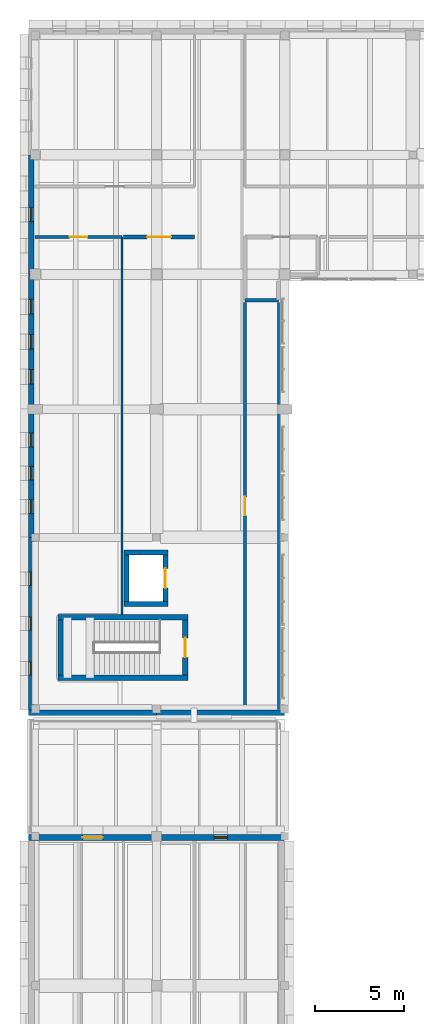
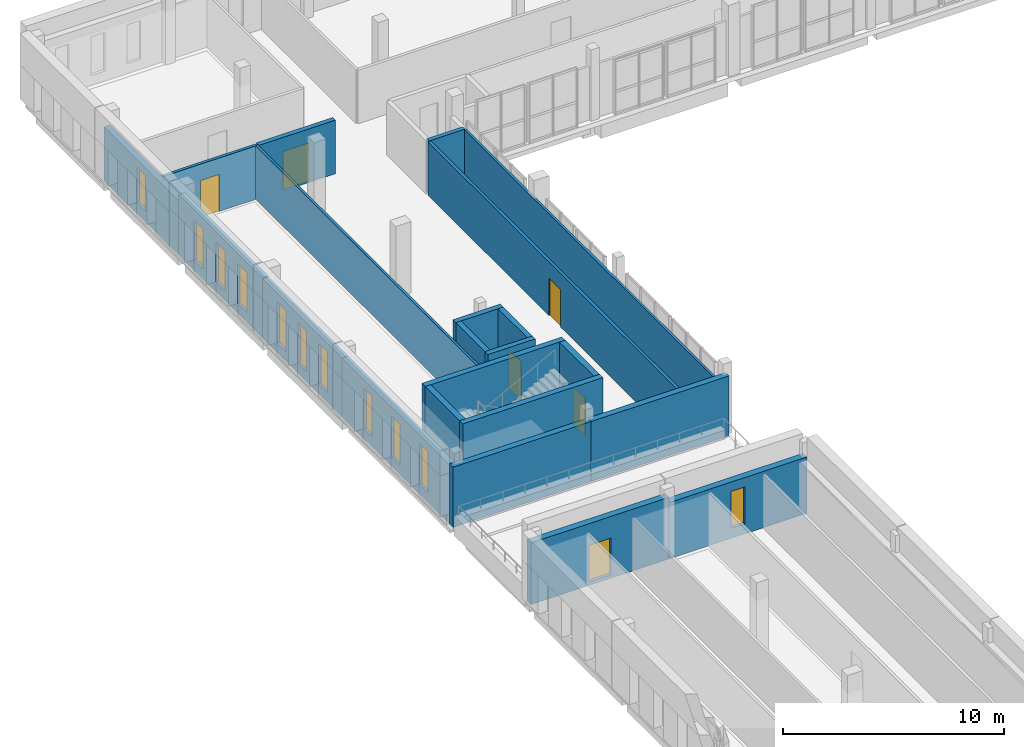
# One storey, part 40 of 56: 22 walls, 11 windows, 6 doors, 17 openings.
"""IFC4 building model written with IfcOpenShell, lengths in metres."""

from ifc_helpers import new_model, si_unit, direction, frame, frame_2d, origin, place, context, subcontext, project, spatial, rectangle, extrude, material, layer, layer_set, type_object, element, fill, save


model = new_model("IFC4")

# Units and contexts
model_context = context("Model", 3, precision=1e-05, world=origin(), true_north=direction((0.0, 1.0)))
body_context = subcontext(model_context, "Body", "Model", "MODEL_VIEW")
ifc_project = project(units=[si_unit("LENGTHUNIT", "METRE"), si_unit("AREAUNIT", "SQUARE_METRE"), si_unit("VOLUMEUNIT", "CUBIC_METRE"), si_unit("PLANEANGLEUNIT", "RADIAN"), si_unit("MASSUNIT", "GRAM", prefix="KILO")], contexts=[model_context])

# Site, building, storey
site_placement = place(None, origin())
site = spatial("IfcSite", under=ifc_project, at=site_placement, CompositionType="ELEMENT")
building_placement = place(site_placement, origin())
building = spatial("IfcBuilding", under=site, at=building_placement, Name="Vardoun Plaza Health Centre", CompositionType="ELEMENT")
storey_placement = place(building_placement, frame((0.0, 0.0, 8.699951171875)))
storey = spatial("IfcBuildingStorey", under=building, at=storey_placement, Name="L02", CompositionType="ELEMENT", Elevation=8.699951171875)

# Walls
ifc_material_1 = material(Name="Concrete C40/50", Category="concrete")
ifc_layer_1 = layer(ifc_material_1, 0.27001953125)
ifc_layer_set_1 = layer_set([ifc_layer_1], Name="Concrete C40/50")
wall_type_1 = type_object("IfcWallType", Name="SW-03", PredefinedType="SHEAR", material=ifc_layer_set_1)
wall_1_placement = place(storey_placement, frame((12.3349609375, 82.949951171875, 0.0), z_axis=(0.0, 0.0, 1.0), x_axis=(-1.0, 0.0, 0.0)))
element("IfcWall", 1, at=wall_1_placement, inside=storey, type_object=wall_type_1, Name="Lift LP-01 L02 Shaft Wall S", PredefinedType="SHEAR", context=body_context, shape_type="SweptSolid", body=[
    extrude(rectangle(XDim=2.469970703125, YDim=0.27001953125, at=frame_2d((1.23486328125, 0.0))), origin(), (0.0, 0.0, 1.0), 3.93505859375),
])
wall_2_placement = place(storey_placement, frame((10.0, 83.0849609375, 0.0), z_axis=(0.0, 0.0, 1.0), x_axis=(0.0, 1.0, 0.0)))
element("IfcWall", 2, at=wall_2_placement, inside=storey, type_object=wall_type_1, Name="Lift LP-01 L02 Shaft Wall W", PredefinedType="SHEAR", context=body_context, shape_type="SweptSolid", body=[
    extrude(rectangle(XDim=2.630126953125, YDim=0.27001953125, at=frame_2d((1.31494140625, 0.0))), origin(), (0.0, 0.0, 1.0), 3.93505859375),
])
wall_3_placement = place(storey_placement, frame((9.864990234375, 85.85009765625, 0.0), z_axis=(0.0, 0.0, 1.0), x_axis=(1.0, 0.0, 0.0)))
element("IfcWall", 3, at=wall_3_placement, inside=storey, type_object=wall_type_1, Name="Lift LP-01 L02 Shaft Wall N", PredefinedType="SHEAR", context=body_context, shape_type="SweptSolid", body=[
    extrude(rectangle(XDim=2.469970703125, YDim=0.27001953125, at=frame_2d((1.23486328125, 0.0))), origin(), (0.0, 0.0, 1.0), 3.93505859375),
])

# Wall, opening, door
wall_4_placement = place(storey_placement, frame((12.199951171875, 85.715087890625, 0.0), z_axis=(0.0, 0.0, 1.0), x_axis=(0.0, -1.0, 0.0)))
wall_4 = element("IfcWall", 4, at=wall_4_placement, inside=storey, type_object=wall_type_1, Name="Lift LP-01 L02 Shaft Wall E", PredefinedType="SHEAR", context=body_context, shape_type="SweptSolid", body=[
    extrude(rectangle(XDim=2.630126953125, YDim=0.27001953125, at=frame_2d((1.31494140625, 0.0))), origin(), (0.0, 0.0, 1.0), 3.93505859375),
])
opening_1_placement = place(wall_4_placement, frame((0.7548828125, 0.0, 0.0)))
opening_1 = element("IfcOpeningElement", 5, at=opening_1_placement, cuts=wall_4, Name="Opening LD-LP-01-L02", PredefinedType="OPENING", context=body_context, shape_type="SweptSolid", body=[
    extrude(rectangle(XDim=1.1201171875, YDim=2.10009765625, at=frame_2d((0.56005859375, 1.050048828125))), frame((0.0, 0.135009765625, 0.0), z_axis=(0.0, -1.0, 0.0), x_axis=(1.0, 0.0, 0.0)), (0.0, 0.0, 1.0), 0.27001953125),
])
ifc_material_2 = material(Name="Brushed Stainless Steel Grade 316L", Category="steel")
door_type_1 = type_object("IfcDoorType", Name="LD-01", OperationType="DOUBLE_DOOR_SLIDING", PredefinedType="DOOR", material=ifc_material_2)
door_1_placement = place(opening_1_placement, origin())
door_1 = element("IfcDoor", 6, at=door_1_placement, inside=storey, type_object=door_type_1, Name="Lift LP-01 L02 Sliding Landing Door", OperationType="DOUBLE_DOOR_SLIDING", OverallHeight=2.10009765625, OverallWidth=1.1201171875, PredefinedType="DOOR", context=body_context, shape_type="SweptSolid", body=[
    extrude(rectangle(XDim=1.1201171875, YDim=2.10009765625, at=frame_2d((0.56005859375, 1.050048828125))), frame((0.0, 0.02490234375, 0.0), z_axis=(0.0, -1.0, 0.0), x_axis=(1.0, 0.0, 0.0)), (0.0, 0.0, 1.0), 0.050048828125),
])
fill(opening_1, door_1)

# Walls
ifc_material_3 = material(Name="Concrete C40/50", Category="concrete")
ifc_layer_2 = layer(ifc_material_3, 0.300048828125)
ifc_layer_set_2 = layer_set([ifc_layer_2], Name="Concrete C40/50")
wall_type_2 = type_object("IfcWallType", Name="SW-01", PredefinedType="SHEAR", material=ifc_layer_set_2)
wall_5_placement = place(storey_placement, frame((13.449951171875, 78.800048828125, 0.0), z_axis=(0.0, 0.0, 1.0), x_axis=(-1.0, 0.0, 0.0)))
element("IfcWall", 7, at=wall_5_placement, inside=storey, type_object=wall_type_2, Name="Core C3 L02 Shear Wall S", PredefinedType="SHEAR", context=body_context, shape_type="SweptSolid", body=[
    extrude(rectangle(XDim=7.300048828125, YDim=0.300048828125, at=frame_2d((3.64990234375, 0.0))), origin(), (0.0, 0.0, 1.0), 3.93505859375),
])
wall_6_placement = place(storey_placement, frame((6.300048828125, 78.949951171875, 0.0), z_axis=(0.0, 0.0, 1.0), x_axis=(0.0, 1.0, 0.0)))
element("IfcWall", 8, at=wall_6_placement, inside=storey, type_object=wall_type_2, Name="Core C3 L02 Shear Wall W", PredefinedType="SHEAR", context=body_context, shape_type="SweptSolid", body=[
    extrude(rectangle(XDim=3.10009765625, YDim=0.300048828125, at=frame_2d((1.550048828125, 0.0))), origin(), (0.0, 0.0, 1.0), 3.93505859375),
])
wall_7_placement = place(storey_placement, frame((6.14990234375, 82.199951171875, 0.0), z_axis=(0.0, 0.0, 1.0), x_axis=(1.0, 0.0, 0.0)))
element("IfcWall", 9, at=wall_7_placement, inside=storey, type_object=wall_type_2, Name="Core C3 L02 Shear Wall N", PredefinedType="SHEAR", context=body_context, shape_type="SweptSolid", body=[
    extrude(rectangle(XDim=7.300048828125, YDim=0.300048828125, at=frame_2d((3.64990234375, 0.0))), origin(), (0.0, 0.0, 1.0), 3.93505859375),
])

# Wall, opening, door
wall_8_placement = place(storey_placement, frame((13.300048828125, 82.050048828125, 0.0), z_axis=(0.0, 0.0, 1.0), x_axis=(0.0, -1.0, 0.0)))
wall_8 = element("IfcWall", 10, at=wall_8_placement, inside=storey, type_object=wall_type_2, Name="Core C3 L02 Shear Wall E", PredefinedType="SHEAR", context=body_context, shape_type="SweptSolid", body=[
    extrude(rectangle(XDim=3.10009765625, YDim=0.300048828125, at=frame_2d((1.550048828125, 0.0))), origin(), (0.0, 0.0, 1.0), 3.93505859375),
])
opening_2_placement = place(wall_8_placement, frame((1.0, 0.0, 0.0)))
opening_2 = element("IfcOpeningElement", 11, at=opening_2_placement, cuts=wall_8, Name="Opening SD-C3-L02", PredefinedType="OPENING", context=body_context, shape_type="SweptSolid", body=[
    extrude(rectangle(XDim=1.10009765625, YDim=2.050048828125, at=frame_2d((0.550048828125, 1.02490234375))), frame((0.0, 0.14990234375, 0.0), z_axis=(0.0, -1.0, 0.0), x_axis=(1.0, 0.0, 0.0)), (0.0, 0.0, 1.0), 0.300048828125),
])
ifc_material_4 = material(Name="Brushed Stainless Steel Grade 316L", Category="steel")
door_type_2 = type_object("IfcDoorType", Name="FD-01", OperationType="NOTDEFINED", PredefinedType="DOOR", material=ifc_material_4)
door_2_placement = place(opening_2_placement, origin())
door_2 = element("IfcDoor", 12, at=door_2_placement, inside=storey, type_object=door_type_2, Name="Stair C3 L02 Fire Door", OperationType="SINGLE_SWING_LEFT", OverallHeight=2.050048828125, OverallWidth=1.10009765625, PredefinedType="DOOR", context=body_context, shape_type="SweptSolid", body=[
    extrude(rectangle(XDim=1.10009765625, YDim=2.050048828125, at=frame_2d((0.550048828125, 1.02490234375))), frame((0.0, 0.02490234375, 0.0), z_axis=(0.0, -1.0, 0.0), x_axis=(1.0, 0.0, 0.0)), (0.0, 0.0, 1.0), 0.050048828125),
])
fill(opening_2, door_2)

# Walls
ifc_material_5 = material(Name="Pale Limestone Concrete C35/45", Category="masonry")
ifc_layer_3 = layer(ifc_material_5, 0.31494140625)
ifc_layer_set_3 = layer_set([ifc_layer_3], Name="Pale Limestone Concrete C35/45")
wall_type_3 = type_object("IfcWallType", Name="EW-03", PredefinedType="SOLIDWALL", material=ifc_layer_set_3)
for number, where, z_axis, x_axis, name in (
    (13, (18.89990234375, 76.83740234375, 0.0), (0.0, 0.0, 1.0), (-1.0, 0.0, 0.0), "V3 L02 Exterior Wall EW-V3-282"),
    (14, (11.699951171875, 76.83740234375, 0.0), (0.0, 0.0, 1.0), (-1.0, 0.0, 0.0), "V3 L02 Exterior Wall EW-V3-283"),
):
    element("IfcWall", number, at=place(storey_placement, frame(where, z_axis=z_axis, x_axis=x_axis)), inside=storey, type_object=wall_type_3, Name=name, PredefinedType="SOLIDWALL", context=body_context, shape_type="SweptSolid", body=[
        extrude(rectangle(XDim=7.199951171875, YDim=0.31494140625, at=frame_2d((3.60009765625, 0.0))), origin(), (0.0, 0.0, 1.0), 3.320068359375),
    ])

# Wall, openings, windows
wall_9_placement = place(storey_placement, frame((4.657470703125, 76.9951171875, 0.0), z_axis=(0.0, 0.0, 1.0), x_axis=(0.0, 1.0, 0.0)))
wall_9 = element("IfcWall", 15, at=wall_9_placement, inside=storey, type_object=wall_type_3, Name="V3 L02 Exterior Wall EW-V3-284", PredefinedType="SOLIDWALL", context=body_context, shape_type="SweptSolid", body=[
    extrude(rectangle(XDim=9.704833984375, YDim=0.31494140625, at=frame_2d((4.8525390625, 0.0))), origin(), (0.0, 0.0, 1.0), 3.27001953125),
])
opening_3_placement = place(wall_9_placement, frame((1.959228515625, 0.0, 0.550048828125)))
opening_3 = element("IfcOpeningElement", 16, at=opening_3_placement, cuts=wall_9, Name="Opening W-05-008", PredefinedType="OPENING", context=body_context, shape_type="SweptSolid", body=[
    extrude(rectangle(XDim=0.739990234375, YDim=2.25, at=frame_2d((0.3701171875, 1.125))), frame((0.0, 0.157470703125, 0.0), z_axis=(0.0, -1.0, 0.0), x_axis=(1.0, 0.0, 0.0)), (0.0, 0.0, 1.0), 0.31494140625),
])
opening_4_placement = place(wall_9_placement, frame((4.482421875, 0.0, 0.550048828125)))
opening_4 = element("IfcOpeningElement", 17, at=opening_4_placement, cuts=wall_9, Name="Opening W-05-009", PredefinedType="OPENING", context=body_context, shape_type="SweptSolid", body=[
    extrude(rectangle(XDim=0.739990234375, YDim=2.25, at=frame_2d((0.3701171875, 1.125))), frame((0.0, 0.157470703125, 0.0), z_axis=(0.0, -1.0, 0.0), x_axis=(1.0, 0.0, 0.0)), (0.0, 0.0, 1.0), 0.31494140625),
])
opening_5_placement = place(wall_9_placement, frame((7.005859375, 0.0, 0.550048828125)))
opening_5 = element("IfcOpeningElement", 18, at=opening_5_placement, cuts=wall_9, Name="Opening W-05-010", PredefinedType="OPENING", context=body_context, shape_type="SweptSolid", body=[
    extrude(rectangle(XDim=0.739990234375, YDim=2.25, at=frame_2d((0.3701171875, 1.125))), frame((0.0, 0.157470703125, 0.0), z_axis=(0.0, -1.0, 0.0), x_axis=(1.0, 0.0, 0.0)), (0.0, 0.0, 1.0), 0.31494140625),
])
ifc_material_6 = material(Name="Aluminium Alloy EN AW-6063-T6 and Low-E Glass", Category="aluminium")
window_type_1 = type_object("IfcWindowType", Name="W-05", PartitioningType="SINGLE_PANEL", PredefinedType="WINDOW", material=ifc_material_6)
window_1_placement = place(opening_3_placement, origin())
window_1 = element("IfcWindow", 19, at=window_1_placement, inside=storey, type_object=window_type_1, Name="V3 L02 Deep-Punched Slot Window W-05-449", OverallHeight=2.25, OverallWidth=0.739990234375, PartitioningType="SINGLE_PANEL", PredefinedType="WINDOW", context=body_context, shape_type="SweptSolid", body=[
    extrude(rectangle(XDim=0.739990234375, YDim=2.25, at=frame_2d((0.3701171875, 1.125))), frame((0.0, 0.030029296875, 0.0), z_axis=(0.0, -1.0, 0.0), x_axis=(1.0, 0.0, 0.0)), (0.0, 0.0, 1.0), 0.06005859375),
])
fill(opening_3, window_1)
window_2_placement = place(opening_4_placement, origin())
window_2 = element("IfcWindow", 20, at=window_2_placement, inside=storey, type_object=window_type_1, Name="V3 L02 Deep-Punched Slot Window W-05-450", OverallHeight=2.25, OverallWidth=0.739990234375, PartitioningType="SINGLE_PANEL", PredefinedType="WINDOW", context=body_context, shape_type="SweptSolid", body=[
    extrude(rectangle(XDim=0.739990234375, YDim=2.25, at=frame_2d((0.3701171875, 1.125))), frame((0.0, 0.030029296875, 0.0), z_axis=(0.0, -1.0, 0.0), x_axis=(1.0, 0.0, 0.0)), (0.0, 0.0, 1.0), 0.06005859375),
])
fill(opening_4, window_2)
window_3_placement = place(opening_5_placement, origin())
window_3 = element("IfcWindow", 21, at=window_3_placement, inside=storey, type_object=window_type_1, Name="V3 L02 Deep-Punched Slot Window W-05-451", OverallHeight=2.25, OverallWidth=0.739990234375, PartitioningType="SINGLE_PANEL", PredefinedType="WINDOW", context=body_context, shape_type="SweptSolid", body=[
    extrude(rectangle(XDim=0.739990234375, YDim=2.25, at=frame_2d((0.3701171875, 1.125))), frame((0.0, 0.030029296875, 0.0), z_axis=(0.0, -1.0, 0.0), x_axis=(1.0, 0.0, 0.0)), (0.0, 0.0, 1.0), 0.06005859375),
])
fill(opening_5, window_3)

wall_10_placement = place(storey_placement, frame((4.657470703125, 86.699951171875, 0.0), z_axis=(0.0, 0.0, 1.0), x_axis=(0.0, 1.0, 0.0)))
wall_10 = element("IfcWall", 22, at=wall_10_placement, inside=storey, type_object=wall_type_3, Name="V3 L02 Exterior Wall EW-V3-285", PredefinedType="SOLIDWALL", context=body_context, shape_type="SweptSolid", body=[
    extrude(rectangle(XDim=7.199951171875, YDim=0.31494140625, at=frame_2d((3.60009765625, 0.0))), origin(), (0.0, 0.0, 1.0), 3.27001953125),
])
opening_6_placement = place(wall_10_placement, frame((1.337890625, 0.0, 0.550048828125)))
opening_6 = element("IfcOpeningElement", 23, at=opening_6_placement, cuts=wall_10, Name="Opening W-06-007", PredefinedType="OPENING", context=body_context, shape_type="SweptSolid", body=[
    extrude(rectangle(XDim=0.780029296875, YDim=2.25, at=frame_2d((0.39013671875, 1.125))), frame((0.0, 0.157470703125, 0.0), z_axis=(0.0, -1.0, 0.0), x_axis=(1.0, 0.0, 0.0)), (0.0, 0.0, 1.0), 0.31494140625),
])
opening_7_placement = place(wall_10_placement, frame((3.2099609375, 0.0, 0.550048828125)))
opening_7 = element("IfcOpeningElement", 24, at=opening_7_placement, cuts=wall_10, Name="Opening W-06-008", PredefinedType="OPENING", context=body_context, shape_type="SweptSolid", body=[
    extrude(rectangle(XDim=0.780029296875, YDim=2.25, at=frame_2d((0.39013671875, 1.125))), frame((0.0, 0.157470703125, 0.0), z_axis=(0.0, -1.0, 0.0), x_axis=(1.0, 0.0, 0.0)), (0.0, 0.0, 1.0), 0.31494140625),
])
opening_8_placement = place(wall_10_placement, frame((5.08203125, 0.0, 0.550048828125)))
opening_8 = element("IfcOpeningElement", 25, at=opening_8_placement, cuts=wall_10, Name="Opening W-06-009", PredefinedType="OPENING", context=body_context, shape_type="SweptSolid", body=[
    extrude(rectangle(XDim=0.780029296875, YDim=2.25, at=frame_2d((0.39013671875, 1.125))), frame((0.0, 0.157470703125, 0.0), z_axis=(0.0, -1.0, 0.0), x_axis=(1.0, 0.0, 0.0)), (0.0, 0.0, 1.0), 0.31494140625),
])
ifc_material_7 = material(Name="Aluminium Alloy EN AW-6063-T6 and Low-E Glass", Category="aluminium")
window_type_2 = type_object("IfcWindowType", Name="W-06", PartitioningType="SINGLE_PANEL", PredefinedType="WINDOW", material=ifc_material_7)
window_4_placement = place(opening_6_placement, origin())
window_4 = element("IfcWindow", 26, at=window_4_placement, inside=storey, type_object=window_type_2, Name="V3 L02 Deep-Punched Slot Window W-06-452", OverallHeight=2.25, OverallWidth=0.780029296875, PartitioningType="SINGLE_PANEL", PredefinedType="WINDOW", context=body_context, shape_type="SweptSolid", body=[
    extrude(rectangle(XDim=0.780029296875, YDim=2.25, at=frame_2d((0.39013671875, 1.125))), frame((0.0, 0.030029296875, 0.0), z_axis=(0.0, -1.0, 0.0), x_axis=(1.0, 0.0, 0.0)), (0.0, 0.0, 1.0), 0.06005859375),
])
fill(opening_6, window_4)
window_5_placement = place(opening_7_placement, origin())
window_5 = element("IfcWindow", 27, at=window_5_placement, inside=storey, type_object=window_type_2, Name="V3 L02 Deep-Punched Slot Window W-06-453", OverallHeight=2.25, OverallWidth=0.780029296875, PartitioningType="SINGLE_PANEL", PredefinedType="WINDOW", context=body_context, shape_type="SweptSolid", body=[
    extrude(rectangle(XDim=0.780029296875, YDim=2.25, at=frame_2d((0.39013671875, 1.125))), frame((0.0, 0.030029296875, 0.0), z_axis=(0.0, -1.0, 0.0), x_axis=(1.0, 0.0, 0.0)), (0.0, 0.0, 1.0), 0.06005859375),
])
fill(opening_7, window_5)
window_6_placement = place(opening_8_placement, origin())
window_6 = element("IfcWindow", 28, at=window_6_placement, inside=storey, type_object=window_type_2, Name="V3 L02 Deep-Punched Slot Window W-06-454", OverallHeight=2.25, OverallWidth=0.780029296875, PartitioningType="SINGLE_PANEL", PredefinedType="WINDOW", context=body_context, shape_type="SweptSolid", body=[
    extrude(rectangle(XDim=0.780029296875, YDim=2.25, at=frame_2d((0.39013671875, 1.125))), frame((0.0, 0.030029296875, 0.0), z_axis=(0.0, -1.0, 0.0), x_axis=(1.0, 0.0, 0.0)), (0.0, 0.0, 1.0), 0.06005859375),
])
fill(opening_8, window_6)

wall_11_placement = place(storey_placement, frame((4.657470703125, 93.89990234375, 0.0), z_axis=(0.0, 0.0, 1.0), x_axis=(0.0, 1.0, 0.0)))
wall_11 = element("IfcWall", 29, at=wall_11_placement, inside=storey, type_object=wall_type_3, Name="V3 L02 Exterior Wall EW-V3-286", PredefinedType="SOLIDWALL", context=body_context, shape_type="SweptSolid", body=[
    extrude(rectangle(XDim=7.580078125, YDim=0.31494140625, at=frame_2d((3.7900390625, 0.0))), origin(), (0.0, 0.0, 1.0), 3.320068359375),
])
opening_9_placement = place(wall_11_placement, frame((1.4091796875, 0.0, 0.550048828125)))
opening_9 = element("IfcOpeningElement", 30, at=opening_9_placement, cuts=wall_11, Name="Opening W-07-013", PredefinedType="OPENING", context=body_context, shape_type="SweptSolid", body=[
    extrude(rectangle(XDim=0.820068359375, YDim=2.199951171875, at=frame_2d((0.41015625, 1.10009765625))), frame((0.0, 0.157470703125, 0.0), z_axis=(0.0, -1.0, 0.0), x_axis=(1.0, 0.0, 0.0)), (0.0, 0.0, 1.0), 0.31494140625),
])
opening_10_placement = place(wall_11_placement, frame((3.3798828125, 0.0, 0.550048828125)))
opening_10 = element("IfcOpeningElement", 31, at=opening_10_placement, cuts=wall_11, Name="Opening W-07-014", PredefinedType="OPENING", context=body_context, shape_type="SweptSolid", body=[
    extrude(rectangle(XDim=0.820068359375, YDim=2.199951171875, at=frame_2d((0.41015625, 1.10009765625))), frame((0.0, 0.157470703125, 0.0), z_axis=(0.0, -1.0, 0.0), x_axis=(1.0, 0.0, 0.0)), (0.0, 0.0, 1.0), 0.31494140625),
])
opening_11_placement = place(wall_11_placement, frame((5.350830078125, 0.0, 0.550048828125)))
opening_11 = element("IfcOpeningElement", 32, at=opening_11_placement, cuts=wall_11, Name="Opening W-07-015", PredefinedType="OPENING", context=body_context, shape_type="SweptSolid", body=[
    extrude(rectangle(XDim=0.820068359375, YDim=2.199951171875, at=frame_2d((0.41015625, 1.10009765625))), frame((0.0, 0.157470703125, 0.0), z_axis=(0.0, -1.0, 0.0), x_axis=(1.0, 0.0, 0.0)), (0.0, 0.0, 1.0), 0.31494140625),
])
ifc_material_8 = material(Name="Aluminium Alloy EN AW-6063-T6 and Low-E Glass", Category="aluminium")
window_type_3 = type_object("IfcWindowType", Name="W-07", PartitioningType="SINGLE_PANEL", PredefinedType="WINDOW", material=ifc_material_8)
window_7_placement = place(opening_9_placement, origin())
window_7 = element("IfcWindow", 33, at=window_7_placement, inside=storey, type_object=window_type_3, Name="V3 L02 Deep-Punched Slot Window W-07-455", OverallHeight=2.199951171875, OverallWidth=0.820068359375, PartitioningType="SINGLE_PANEL", PredefinedType="WINDOW", context=body_context, shape_type="SweptSolid", body=[
    extrude(rectangle(XDim=0.820068359375, YDim=2.199951171875, at=frame_2d((0.41015625, 1.10009765625))), frame((0.0, 0.030029296875, 0.0), z_axis=(0.0, -1.0, 0.0), x_axis=(1.0, 0.0, 0.0)), (0.0, 0.0, 1.0), 0.06005859375),
])
fill(opening_9, window_7)
window_8_placement = place(opening_10_placement, origin())
window_8 = element("IfcWindow", 34, at=window_8_placement, inside=storey, type_object=window_type_3, Name="V3 L02 Deep-Punched Slot Window W-07-456", OverallHeight=2.199951171875, OverallWidth=0.820068359375, PartitioningType="SINGLE_PANEL", PredefinedType="WINDOW", context=body_context, shape_type="SweptSolid", body=[
    extrude(rectangle(XDim=0.820068359375, YDim=2.199951171875, at=frame_2d((0.41015625, 1.10009765625))), frame((0.0, 0.030029296875, 0.0), z_axis=(0.0, -1.0, 0.0), x_axis=(1.0, 0.0, 0.0)), (0.0, 0.0, 1.0), 0.06005859375),
])
fill(opening_10, window_8)
window_9_placement = place(opening_11_placement, origin())
window_9 = element("IfcWindow", 35, at=window_9_placement, inside=storey, type_object=window_type_3, Name="V3 L02 Deep-Punched Slot Window W-07-457", OverallHeight=2.199951171875, OverallWidth=0.820068359375, PartitioningType="SINGLE_PANEL", PredefinedType="WINDOW", context=body_context, shape_type="SweptSolid", body=[
    extrude(rectangle(XDim=0.820068359375, YDim=2.199951171875, at=frame_2d((0.41015625, 1.10009765625))), frame((0.0, 0.030029296875, 0.0), z_axis=(0.0, -1.0, 0.0), x_axis=(1.0, 0.0, 0.0)), (0.0, 0.0, 1.0), 0.06005859375),
])
fill(opening_11, window_9)

# Wall, opening, window
wall_12_placement = place(storey_placement, frame((4.657470703125, 101.47998046875, 0.0), z_axis=(0.0, 0.0, 1.0), x_axis=(0.0, 1.0, 0.0)))
wall_12 = element("IfcWall", 36, at=wall_12_placement, inside=storey, type_object=wall_type_3, Name="V3 L02 Exterior Wall EW-V3-287", PredefinedType="SOLIDWALL", context=body_context, shape_type="SweptSolid", body=[
    extrude(rectangle(XDim=6.719970703125, YDim=0.31494140625, at=frame_2d((3.35986328125, 0.0))), origin(), (0.0, 0.0, 1.0), 2.969970703125),
])
opening_12_placement = place(wall_12_placement, frame((2.969970703125, 0.0, 0.60009765625)))
opening_12 = element("IfcOpeningElement", 37, at=opening_12_placement, cuts=wall_12, Name="Opening W-30-019", PredefinedType="OPENING", context=body_context, shape_type="SweptSolid", body=[
    extrude(rectangle(XDim=0.780029296875, YDim=1.949951171875, at=frame_2d((0.39013671875, 0.97509765625))), frame((0.0, 0.157470703125, 0.0), z_axis=(0.0, -1.0, 0.0), x_axis=(1.0, 0.0, 0.0)), (0.0, 0.0, 1.0), 0.31494140625),
])
ifc_material_9 = material(Name="Aluminium Alloy EN AW-6063-T6 and Low-E Glass", Category="aluminium")
window_type_4 = type_object("IfcWindowType", Name="W-30", PartitioningType="SINGLE_PANEL", PredefinedType="WINDOW", material=ifc_material_9)
window_10_placement = place(opening_12_placement, origin())
window_10 = element("IfcWindow", 38, at=window_10_placement, inside=storey, type_object=window_type_4, Name="V3 L02 Deep-Punched Slot Window W-30-459", OverallHeight=1.949951171875, OverallWidth=0.780029296875, PartitioningType="SINGLE_PANEL", PredefinedType="WINDOW", context=body_context, shape_type="SweptSolid", body=[
    extrude(rectangle(XDim=0.780029296875, YDim=1.949951171875, at=frame_2d((0.39013671875, 0.97509765625))), frame((0.0, 0.030029296875, 0.0), z_axis=(0.0, -1.0, 0.0), x_axis=(1.0, 0.0, 0.0)), (0.0, 0.0, 1.0), 0.06005859375),
])
fill(opening_12, window_10)

# Wall, opening, door
ifc_material_10 = material(Name="Pale Limestone Concrete C35/45", Category="masonry")
ifc_layer_4 = layer(ifc_material_10, 0.344970703125)
ifc_layer_set_4 = layer_set([ifc_layer_4], Name="Pale Limestone Concrete C35/45")
wall_type_4 = type_object("IfcWallType", Name="EW-01", PredefinedType="SOLIDWALL", material=ifc_layer_set_4)
wall_13_placement = place(storey_placement, frame((4.5, 69.827392578125, 0.0), z_axis=(0.0, 0.0, 1.0), x_axis=(1.0, 0.0, 0.0)))
wall_13 = element("IfcWall", 39, at=wall_13_placement, inside=storey, type_object=wall_type_4, Name="V2 L02 Exterior Wall EW-V2-126", PredefinedType="SOLIDWALL", context=body_context, shape_type="SweptSolid", body=[
    extrude(rectangle(XDim=7.199951171875, YDim=0.344970703125, at=frame_2d((3.60009765625, 0.0))), origin(), (0.0, 0.0, 1.0), 3.405029296875),
])
opening_13_placement = place(wall_13_placement, frame((3.02490234375, 0.0, 0.18994140625)))
opening_13 = element("IfcOpeningElement", 40, at=opening_13_placement, cuts=wall_13, Name="Opening TD-V2-L02-1", PredefinedType="OPENING", context=body_context, shape_type="SweptSolid", body=[
    extrude(rectangle(XDim=1.14990234375, YDim=2.02001953125, at=frame_2d((0.574951171875, 1.010009765625))), frame((0.0, 0.17236328125, 0.0), z_axis=(0.0, -1.0, 0.0), x_axis=(1.0, 0.0, 0.0)), (0.0, 0.0, 1.0), 0.344970703125),
])
ifc_material_11 = material(Name="Aluminium Alloy EN AW-6063-T6 Terrace Door", Category="aluminium")
door_type_3 = type_object("IfcDoorType", Name="ED-04", OperationType="NOTDEFINED", PredefinedType="DOOR", material=ifc_material_11)
door_3_placement = place(opening_13_placement, origin())
door_3 = element("IfcDoor", 41, at=door_3_placement, inside=storey, type_object=door_type_3, Name="V2 L02 Roof-Garden Terrace Door 1", OperationType="SINGLE_SWING_RIGHT", OverallHeight=2.02001953125, OverallWidth=1.14990234375, PredefinedType="DOOR", context=body_context, shape_type="SweptSolid", body=[
    extrude(rectangle(XDim=1.14990234375, YDim=2.02001953125, at=frame_2d((0.574951171875, 1.010009765625))), frame((0.0, 0.02490234375, 0.0), z_axis=(0.0, -1.0, 0.0), x_axis=(1.0, 0.0, 0.0)), (0.0, 0.0, 1.0), 0.050048828125),
])
fill(opening_13, door_3)

# Wall, opening, window
wall_14_placement = place(storey_placement, frame((11.699951171875, 69.827392578125, 0.0), z_axis=(0.0, 0.0, 1.0), x_axis=(1.0, 0.0, 0.0)))
wall_14 = element("IfcWall", 42, at=wall_14_placement, inside=storey, type_object=wall_type_4, Name="V2 L02 Exterior Wall EW-V2-127", PredefinedType="SOLIDWALL", context=body_context, shape_type="SweptSolid", body=[
    extrude(rectangle(XDim=7.199951171875, YDim=0.344970703125, at=frame_2d((3.60009765625, 0.0))), origin(), (0.0, 0.0, 1.0), 3.10498046875),
])
opening_14_placement = place(wall_14_placement, frame((3.22998046875, 0.0, 0.550048828125)))
opening_14 = element("IfcOpeningElement", 43, at=opening_14_placement, cuts=wall_14, Name="Opening W-23-001", PredefinedType="OPENING", context=body_context, shape_type="SweptSolid", body=[
    extrude(rectangle(XDim=0.739990234375, YDim=2.0400390625, at=frame_2d((0.3701171875, 1.02001953125))), frame((0.0, 0.17236328125, 0.0), z_axis=(0.0, -1.0, 0.0), x_axis=(1.0, 0.0, 0.0)), (0.0, 0.0, 1.0), 0.344970703125),
])
ifc_material_12 = material(Name="Aluminium Alloy EN AW-6063-T6 and Low-E Glass", Category="aluminium")
window_type_5 = type_object("IfcWindowType", Name="W-23", PartitioningType="SINGLE_PANEL", PredefinedType="WINDOW", material=ifc_material_12)
window_11_placement = place(opening_14_placement, origin())
window_11 = element("IfcWindow", 44, at=window_11_placement, inside=storey, type_object=window_type_5, Name="V2 L02 Deep-Punched Slot Window W-23-108", OverallHeight=2.0400390625, OverallWidth=0.739990234375, PartitioningType="SINGLE_PANEL", PredefinedType="WINDOW", context=body_context, shape_type="SweptSolid", body=[
    extrude(rectangle(XDim=0.739990234375, YDim=2.0400390625, at=frame_2d((0.3701171875, 1.02001953125))), frame((0.0, 0.030029296875, 0.0), z_axis=(0.0, -1.0, 0.0), x_axis=(1.0, 0.0, 0.0)), (0.0, 0.0, 1.0), 0.06005859375),
])
fill(opening_14, window_11)

# Wall, opening, door
ifc_material_13 = material(Name="Acoustic Gypsum Twin-Stud", Category="steel")
ifc_layer_5 = layer(ifc_material_13, 0.14990234375)
ifc_layer_set_5 = layer_set([ifc_layer_5], Name="Acoustic Gypsum Twin-Stud")
wall_type_5 = type_object("IfcWallType", Name="IW-04", PredefinedType="PARTITIONING", material=ifc_layer_set_5)
wall_15_placement = place(storey_placement, frame((4.85009765625, 103.580078125, 0.0), z_axis=(0.0, 0.0, 1.0), x_axis=(1.0, 0.0, 0.0)))
wall_15 = element("IfcWall", 45, at=wall_15_placement, inside=storey, type_object=wall_type_5, Name="Women Health Consulting Room 22 Partition Wall", PredefinedType="PARTITIONING", context=body_context, shape_type="SweptSolid", body=[
    extrude(rectangle(XDim=4.909912109375, YDim=0.14990234375, at=frame_2d((2.455078125, 0.0))), origin(), (0.0, 0.0, 1.0), 2.955078125),
])
opening_15_placement = place(wall_15_placement, frame((1.955078125, 0.0, 0.0)))
opening_15 = element("IfcOpeningElement", 46, at=opening_15_placement, cuts=wall_15, Name="Opening D-L02-098", PredefinedType="OPENING", context=body_context, shape_type="SweptSolid", body=[
    extrude(rectangle(XDim=1.0, YDim=2.050048828125, at=frame_2d((0.5, 1.02490234375))), frame((0.0, 0.074951171875, 0.0), z_axis=(0.0, -1.0, 0.0), x_axis=(1.0, 0.0, 0.0)), (0.0, 0.0, 1.0), 0.14990234375),
])
ifc_material_14 = material(Name="Antimicrobial Acoustic Timber and Steel S275JR", Category="steel")
door_type_4 = type_object("IfcDoorType", Name="CD-03", OperationType="NOTDEFINED", PredefinedType="DOOR", material=ifc_material_14)
door_4_placement = place(opening_15_placement, origin())
door_4 = element("IfcDoor", 47, at=door_4_placement, inside=storey, type_object=door_type_4, Name="Women Health Consulting Room 22 Door D-L02-098", OperationType="SINGLE_SWING_RIGHT", OverallHeight=2.050048828125, OverallWidth=1.0, PredefinedType="DOOR", context=body_context, shape_type="SweptSolid", body=[
    extrude(rectangle(XDim=1.0, YDim=2.050048828125, at=frame_2d((0.5, 1.02490234375))), frame((0.0, 0.02490234375, 0.0), z_axis=(0.0, -1.0, 0.0), x_axis=(1.0, 0.0, 0.0)), (0.0, 0.0, 1.0), 0.050048828125),
])
fill(opening_15, door_4)

wall_16_placement = place(storey_placement, frame((16.669921875, 77.030029296875, 0.0), z_axis=(0.0, 0.0, 1.0), x_axis=(0.0, 1.0, 0.0)))
wall_16 = element("IfcWall", 48, at=wall_16_placement, inside=storey, type_object=wall_type_5, Name="Women Health Consulting Room 22 B Partition Wall", PredefinedType="PARTITIONING", context=body_context, shape_type="SweptSolid", body=[
    extrude(rectangle(XDim=22.859130859375, YDim=0.14990234375, at=frame_2d((11.4296875, 0.0))), origin(), (0.0, 0.0, 1.0), 2.955078125),
])
opening_16_placement = place(wall_16_placement, frame((10.909423828125, 0.0, 0.0)))
opening_16 = element("IfcOpeningElement", 49, at=opening_16_placement, cuts=wall_16, Name="Opening D-L02-103", PredefinedType="OPENING", context=body_context, shape_type="SweptSolid", body=[
    extrude(rectangle(XDim=1.0400390625, YDim=2.050048828125, at=frame_2d((0.52001953125, 1.02490234375))), frame((0.0, 0.074951171875, 0.0), z_axis=(0.0, -1.0, 0.0), x_axis=(1.0, 0.0, 0.0)), (0.0, 0.0, 1.0), 0.14990234375),
])
ifc_material_15 = material(Name="Antimicrobial Acoustic Timber and Steel S275JR", Category="steel")
door_type_5 = type_object("IfcDoorType", Name="CD-04", OperationType="NOTDEFINED", PredefinedType="DOOR", material=ifc_material_15)
door_5_placement = place(opening_16_placement, origin())
door_5 = element("IfcDoor", 50, at=door_5_placement, inside=storey, type_object=door_type_5, Name="Women Health Consulting Room 22 B Door D-L02-103", OperationType="SINGLE_SWING_LEFT", OverallHeight=2.050048828125, OverallWidth=1.0400390625, PredefinedType="DOOR", context=body_context, shape_type="SweptSolid", body=[
    extrude(rectangle(XDim=1.0400390625, YDim=2.050048828125, at=frame_2d((0.52001953125, 1.02490234375))), frame((0.0, 0.02490234375, 0.0), z_axis=(0.0, -1.0, 0.0), x_axis=(1.0, 0.0, 0.0)), (0.0, 0.0, 1.0), 0.050048828125),
])
fill(opening_16, door_5)

# Walls
ifc_material_16 = material(Name="Standard Clinical Sub-Partition", Category="steel")
ifc_layer_6 = layer(ifc_material_16, 0.125)
ifc_layer_set_6 = layer_set([ifc_layer_6], Name="Standard Clinical Sub-Partition")
wall_type_6 = type_object("IfcWallType", Name="IW-11", PredefinedType="PARTITIONING", material=ifc_layer_set_6)
wall_17_placement = place(storey_placement, frame((9.760009765625, 103.580078125, 0.0), z_axis=(0.0, 0.0, 1.0), x_axis=(0.0, -1.0, 0.0)))
element("IfcWall", 51, at=wall_17_placement, inside=storey, type_object=wall_type_6, Name="Women Health Consulting Room 22 Enclosure Partition", PredefinedType="PARTITIONING", context=body_context, shape_type="SweptSolid", body=[
    extrude(rectangle(XDim=21.380126953125, YDim=0.125, at=frame_2d((10.68994140625, 0.0))), origin(), (0.0, 0.0, 1.0), 2.955078125),
])
wall_18_placement = place(storey_placement, frame((18.550048828125, 99.88916015625, 0.0), z_axis=(0.0, 0.0, 1.0), x_axis=(0.0, -1.0, 0.0)))
element("IfcWall", 52, at=wall_18_placement, inside=storey, type_object=wall_type_6, Name="Women Health Consulting Room 22 B Enclosure Partition", PredefinedType="PARTITIONING", context=body_context, shape_type="SweptSolid", body=[
    extrude(rectangle(XDim=22.859130859375, YDim=0.125, at=frame_2d((11.4296875, 0.0))), origin(), (0.0, 0.0, 1.0), 2.955078125),
])
ifc_material_17 = material(Name="Moisture-Resistant Plumbing Chase", Category="steel")
ifc_layer_7 = layer(ifc_material_17, 0.215087890625)
ifc_layer_set_7 = layer_set([ifc_layer_7], Name="Moisture-Resistant Plumbing Chase")
wall_type_7 = type_object("IfcWallType", Name="IW-06", PredefinedType="PLUMBINGWALL", material=ifc_layer_set_7)
wall_19_placement = place(storey_placement, frame((18.550048828125, 100.029052734375, 0.0), z_axis=(0.0, 0.0, 1.0), x_axis=(-1.0, 0.0, 0.0)))
element("IfcWall", 53, at=wall_19_placement, inside=storey, type_object=wall_type_7, Name="Accessible WC L02-V3 Enclosure Partition", PredefinedType="PLUMBINGWALL", context=body_context, shape_type="SweptSolid", body=[
    extrude(rectangle(XDim=1.880126953125, YDim=0.215087890625, at=frame_2d((0.93994140625, 0.0))), origin(), (0.0, 0.0, 1.0), 2.955078125),
])

# Wall, opening, door
ifc_material_18 = material(Name="Lead-Lined Concrete C35/45", Category="concrete")
ifc_layer_8 = layer(ifc_material_18, 0.239990234375)
ifc_layer_set_8 = layer_set([ifc_layer_8], Name="Lead-Lined Concrete C35/45")
wall_type_8 = type_object("IfcWallType", Name="IW-03", PredefinedType="SOLIDWALL", material=ifc_layer_set_8)
wall_20_placement = place(storey_placement, frame((9.840087890625, 103.580078125, 0.0), z_axis=(0.0, 0.0, 1.0), x_axis=(1.0, 0.0, 0.0)))
wall_20 = element("IfcWall", 54, at=wall_20_placement, inside=storey, type_object=wall_type_8, Name="Prenatal Ultrasound Examination Room Partition Wall", PredefinedType="SOLIDWALL", context=body_context, shape_type="SweptSolid", body=[
    extrude(rectangle(XDim=3.989990234375, YDim=0.239990234375, at=frame_2d((1.9951171875, 0.0))), origin(), (0.0, 0.0, 1.0), 2.955078125),
])
opening_17_placement = place(wall_20_placement, frame((1.320068359375, 0.0, 0.0)))
opening_17 = element("IfcOpeningElement", 55, at=opening_17_placement, cuts=wall_20, Name="Opening D-L02-099", PredefinedType="OPENING", context=body_context, shape_type="SweptSolid", body=[
    extrude(rectangle(XDim=1.35009765625, YDim=2.10009765625, at=frame_2d((0.675048828125, 1.050048828125))), frame((0.0, 0.1201171875, 0.0), z_axis=(0.0, -1.0, 0.0), x_axis=(1.0, 0.0, 0.0)), (0.0, 0.0, 1.0), 0.239990234375),
])
ifc_material_19 = material(Name="Antimicrobial Acoustic Timber and Steel S275JR", Category="steel")
door_type_6 = type_object("IfcDoorType", Name="CD-02", OperationType="NOTDEFINED", PredefinedType="DOOR", material=ifc_material_19)
door_6_placement = place(opening_17_placement, origin())
door_6 = element("IfcDoor", 56, at=door_6_placement, inside=storey, type_object=door_type_6, Name="Prenatal Ultrasound Examination Room Door D-L02-099", OperationType="SINGLE_SWING_LEFT", OverallHeight=2.10009765625, OverallWidth=1.35009765625, PredefinedType="DOOR", context=body_context, shape_type="SweptSolid", body=[
    extrude(rectangle(XDim=1.35009765625, YDim=2.10009765625, at=frame_2d((0.675048828125, 1.050048828125))), frame((0.0, 0.02490234375, 0.0), z_axis=(0.0, -1.0, 0.0), x_axis=(1.0, 0.0, 0.0)), (0.0, 0.0, 1.0), 0.050048828125),
])
fill(opening_17, door_6)

save(model, "model.ifc")
